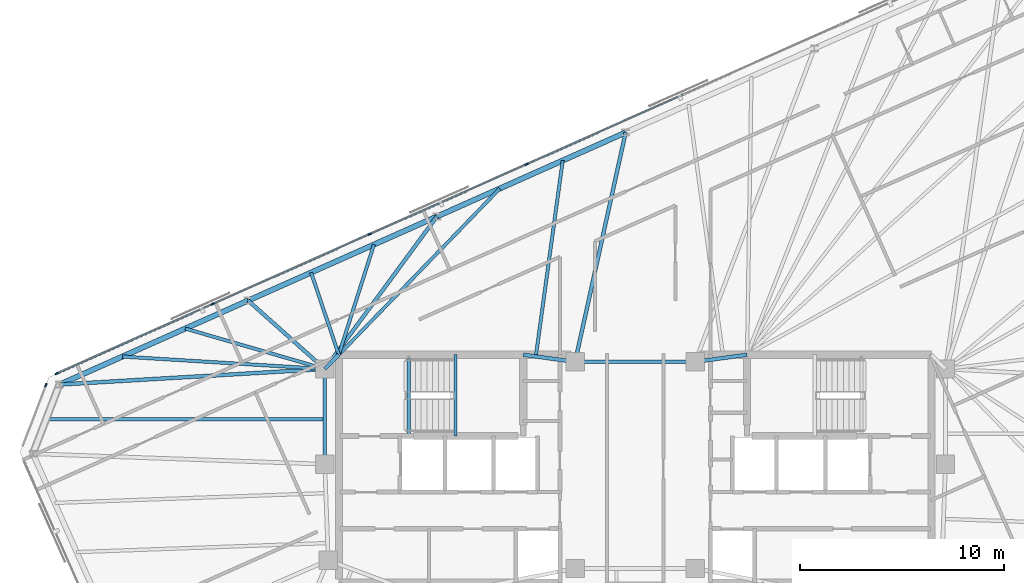
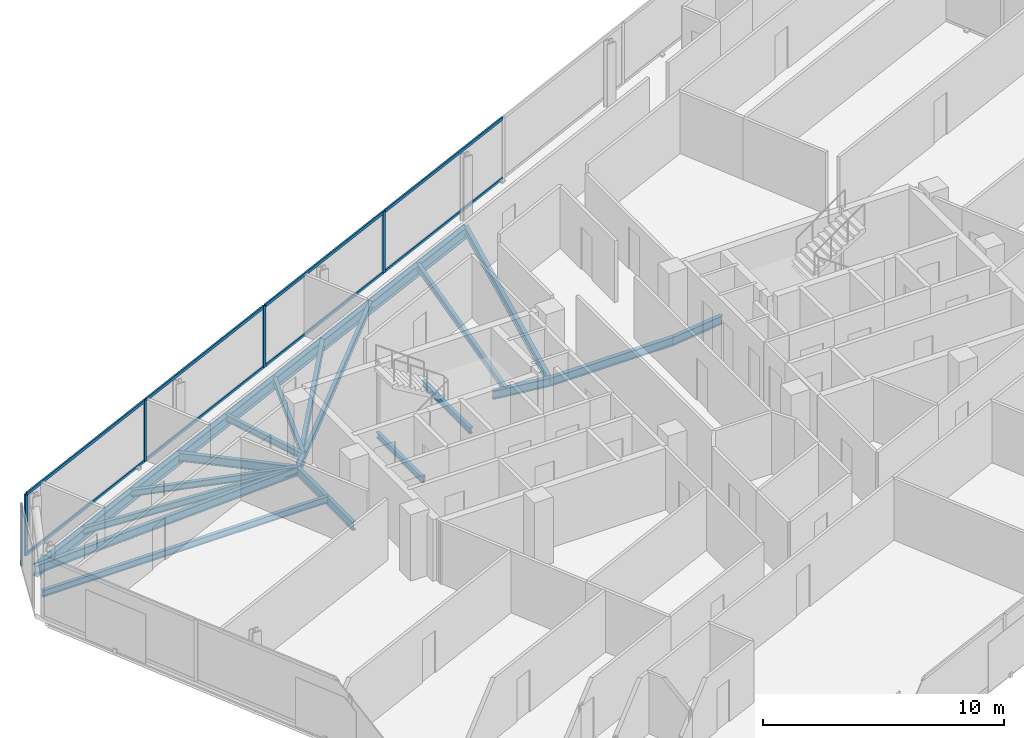
# One storey, part 9 of 18: 21 beams, 13 members, 2 elements without a shape of their own.
"""IFC4 building model written with IfcOpenShell, lengths in metres."""

from ifc_helpers import new_model, si_unit, direction, frame, origin, origin_2d, place, context, subcontext, project, spatial, rectangle, i_section, extrude, material, material_profile, profile_set, type_object, element, aggregate, save


model = new_model("IFC4")

# Units and contexts
model_context = context("Model", 3, precision=1e-05, world=origin(), true_north=direction((0.0, 1.0)))
body_context = subcontext(model_context, "Body", "Model", "MODEL_VIEW")
ifc_project = project(units=[si_unit("LENGTHUNIT", "METRE"), si_unit("AREAUNIT", "SQUARE_METRE"), si_unit("VOLUMEUNIT", "CUBIC_METRE"), si_unit("PLANEANGLEUNIT", "RADIAN"), si_unit("MASSUNIT", "GRAM", prefix="KILO")], contexts=[model_context])

# Site, building, storey
site_placement = place(None, origin())
site = spatial("IfcSite", under=ifc_project, at=site_placement, CompositionType="ELEMENT")
building_placement = place(site_placement, origin())
building = spatial("IfcBuilding", under=site, at=building_placement, Name="Menara Jurai Vektor", CompositionType="ELEMENT")
storey_placement = place(building_placement, frame((0.0, 0.0, 285.25)))
storey = spatial("IfcBuildingStorey", under=building, at=storey_placement, Name="L76", CompositionType="ELEMENT", Elevation=285.25)

# Curtain wall, members
ifc_material_1 = material(Name="Anodised Pale Aluminium & Low-E Double Glazing", Category="aluminium")
curtain_wall_type = type_object("IfcCurtainWallType", Name="CW-BLK5", PredefinedType="NOTDEFINED", material=ifc_material_1)
curtain_wall_1_placement = place(storey_placement, origin())
curtain_wall_1 = element("IfcCurtainWall", 1, at=curtain_wall_1_placement, inside=storey, type_object=curtain_wall_type, Name="Unitised Curtain Wall L76 F05", PredefinedType="NOTDEFINED")
ifc_material_2 = material(Name="Anodised Pale Aluminium Mullion", Category="aluminium")
ifc_material_profile_1 = material_profile(ifc_material_2, rectangle(XDim=0.074951171875, YDim=0.175048828125, at=origin_2d()), Name="ALU MUL 75x175")
ifc_profile_set_1 = profile_set([ifc_material_profile_1], Name="Anodised Pale Aluminium Mullion")
member_type_1 = type_object("IfcMemberType", Name="CW-BLK5-MUL", PredefinedType="MULLION", material=ifc_profile_set_1)
member_1_placement = place(storey_placement, frame((-5.327880859375, 14.957275390625, 0.0), z_axis=(0.0, 0.0, 1.0), x_axis=(0.406735498684, -0.913545967158, 0.0)))
member_1 = element("IfcMember", 2, at=member_1_placement, type_object=member_type_1, Name="CW-05 mullion 4", PredefinedType="MULLION", context=body_context, shape_type="SweptSolid", body=[
    extrude(rectangle(XDim=0.074951171875, YDim=0.175048828125, at=origin_2d()), origin(), (0.0, 0.0, 1.0), 3.125),
])
member_2_placement = place(storey_placement, frame((-13.038330078125, 11.5244140625, 0.0), z_axis=(0.0, 0.0, 1.0), x_axis=(0.406735498684, -0.913545967158, 0.0)))
member_2 = element("IfcMember", 3, at=member_2_placement, type_object=member_type_1, Name="CW-05 mullion 5", PredefinedType="MULLION", context=body_context, shape_type="SweptSolid", body=[
    extrude(rectangle(XDim=0.074951171875, YDim=0.175048828125, at=origin_2d()), origin(), (0.0, 0.0, 1.0), 3.125),
])
member_3_placement = place(storey_placement, frame((-20.748779296875, 8.091552734375, 0.0), z_axis=(0.0, 0.0, 1.0), x_axis=(0.406735498684, -0.913545967158, 0.0)))
member_3 = element("IfcMember", 4, at=member_3_placement, type_object=member_type_1, Name="CW-05 mullion 6", PredefinedType="MULLION", context=body_context, shape_type="SweptSolid", body=[
    extrude(rectangle(XDim=0.074951171875, YDim=0.175048828125, at=origin_2d()), origin(), (0.0, 0.0, 1.0), 3.125),
])
member_4_placement = place(storey_placement, frame((-28.4248046875, 4.674072265625, 0.0), z_axis=(0.0, 0.0, 1.0), x_axis=(0.406735498684, -0.913545967158, 0.0)))
member_4 = element("IfcMember", 5, at=member_4_placement, type_object=member_type_1, Name="CW-05 mullion 7", PredefinedType="MULLION", context=body_context, shape_type="SweptSolid", body=[
    extrude(rectangle(XDim=0.074951171875, YDim=0.175048828125, at=origin_2d()), origin(), (0.0, 0.0, 1.0), 3.125),
])

# Curtain wall, member
curtain_wall_2_placement = place(storey_placement, origin())
curtain_wall_2 = element("IfcCurtainWall", 6, at=curtain_wall_2_placement, inside=storey, type_object=curtain_wall_type, Name="Unitised Curtain Wall L76 F06", PredefinedType="NOTDEFINED")
member_5_placement = place(storey_placement, frame((-28.955810546875, 4.114501953125, 0.0), z_axis=(0.0, 0.0, 1.0), x_axis=(0.933578193639, -0.358373766287, 0.0)))
member_5 = element("IfcMember", 7, at=member_5_placement, type_object=member_type_1, Name="CW-05 mullion 1", PredefinedType="MULLION", context=body_context, shape_type="SweptSolid", body=[
    extrude(rectangle(XDim=0.074951171875, YDim=0.175048828125, at=origin_2d()), origin(), (0.0, 0.0, 1.0), 3.125),
])
aggregate(curtain_wall_2, [member_5])

# Member
ifc_material_3 = material(Name="Anodised Pale Aluminium Transom", Category="aluminium")
ifc_material_profile_2 = material_profile(ifc_material_3, rectangle(XDim=0.074951171875, YDim=0.155029296875, at=origin_2d()), Name="ALU TRN 75x155")
ifc_profile_set_2 = profile_set([ifc_material_profile_2], Name="Anodised Pale Aluminium Transom")
member_type_2 = type_object("IfcMemberType", Name="CW-BLK5-TRN", PredefinedType="USERDEFINED", material=ifc_profile_set_2)
member_6_placement = place(storey_placement, frame((2.34814453125, 18.375, 0.03759765625), z_axis=(-0.913546575494, -0.406734132331, 0.0), x_axis=(0.406734132331, -0.913546575494, 0.0)))
member_6 = element("IfcMember", 8, at=member_6_placement, type_object=member_type_2, Name="CW-05 transom 3.1", ObjectType="TRANSOM", PredefinedType="USERDEFINED", context=body_context, shape_type="SweptSolid", body=[
    extrude(rectangle(XDim=0.074951171875, YDim=0.155029296875, at=origin_2d()), origin(), (0.0, 0.0, 1.0), 8.364990234375),
])

member_7_placement = place(storey_placement, frame((2.34814453125, 18.375, 3.08740234375), z_axis=(-0.913546575494, -0.406734132331, 0.0), x_axis=(0.406734132331, -0.913546575494, 0.0)))
member_7 = element("IfcMember", 9, at=member_7_placement, type_object=member_type_2, Name="CW-05 transom 3.2", ObjectType="TRANSOM", PredefinedType="USERDEFINED", context=body_context, shape_type="SweptSolid", body=[
    extrude(rectangle(XDim=0.074951171875, YDim=0.155029296875, at=origin_2d()), origin(), (0.0, 0.0, 1.0), 8.364990234375),
])

member_8_placement = place(storey_placement, frame((-5.3623046875, 14.942138671875, 0.03759765625), z_axis=(-0.913546575494, -0.406734132331, 0.0), x_axis=(0.406734132331, -0.913546575494, 0.0)))
member_8 = element("IfcMember", 10, at=member_8_placement, type_object=member_type_2, Name="CW-05 transom 4.1", ObjectType="TRANSOM", PredefinedType="USERDEFINED", context=body_context, shape_type="SweptSolid", body=[
    extrude(rectangle(XDim=0.074951171875, YDim=0.155029296875, at=origin_2d()), origin(), (0.0, 0.0, 1.0), 8.364990234375),
])

member_9_placement = place(storey_placement, frame((-5.3623046875, 14.942138671875, 3.08740234375), z_axis=(-0.913546575494, -0.406734132331, 0.0), x_axis=(0.406734132331, -0.913546575494, 0.0)))
member_9 = element("IfcMember", 11, at=member_9_placement, type_object=member_type_2, Name="CW-05 transom 4.2", ObjectType="TRANSOM", PredefinedType="USERDEFINED", context=body_context, shape_type="SweptSolid", body=[
    extrude(rectangle(XDim=0.074951171875, YDim=0.155029296875, at=origin_2d()), origin(), (0.0, 0.0, 1.0), 8.364990234375),
])

member_10_placement = place(storey_placement, frame((-13.072509765625, 11.50927734375, 0.03759765625), z_axis=(-0.913546575494, -0.406734132331, 0.0), x_axis=(0.406734132331, -0.913546575494, 0.0)))
member_10 = element("IfcMember", 12, at=member_10_placement, type_object=member_type_2, Name="CW-05 transom 5.1", ObjectType="TRANSOM", PredefinedType="USERDEFINED", context=body_context, shape_type="SweptSolid", body=[
    extrude(rectangle(XDim=0.074951171875, YDim=0.155029296875, at=origin_2d()), origin(), (0.0, 0.0, 1.0), 8.364990234375),
])

member_11_placement = place(storey_placement, frame((-13.072509765625, 11.50927734375, 3.08740234375), z_axis=(-0.913546575494, -0.406734132331, 0.0), x_axis=(0.406734132331, -0.913546575494, 0.0)))
member_11 = element("IfcMember", 13, at=member_11_placement, type_object=member_type_2, Name="CW-05 transom 5.2", ObjectType="TRANSOM", PredefinedType="USERDEFINED", context=body_context, shape_type="SweptSolid", body=[
    extrude(rectangle(XDim=0.074951171875, YDim=0.155029296875, at=origin_2d()), origin(), (0.0, 0.0, 1.0), 8.364990234375),
])

member_12_placement = place(storey_placement, frame((-20.782958984375, 8.076416015625, 0.03759765625), z_axis=(-0.91353811338, -0.406753138159, 0.0), x_axis=(0.406753138159, -0.91353811338, 0.0)))
member_12 = element("IfcMember", 14, at=member_12_placement, type_object=member_type_2, Name="CW-05 transom 6.1", ObjectType="TRANSOM", PredefinedType="USERDEFINED", context=body_context, shape_type="SweptSolid", body=[
    extrude(rectangle(XDim=0.074951171875, YDim=0.155029296875, at=origin_2d()), origin(), (0.0, 0.0, 1.0), 8.327392578125),
])

member_13_placement = place(storey_placement, frame((-20.782958984375, 8.076416015625, 3.08740234375), z_axis=(-0.91353811338, -0.406753138159, 0.0), x_axis=(0.406753138159, -0.91353811338, 0.0)))
member_13 = element("IfcMember", 15, at=member_13_placement, type_object=member_type_2, Name="CW-05 transom 6.2", ObjectType="TRANSOM", PredefinedType="USERDEFINED", context=body_context, shape_type="SweptSolid", body=[
    extrude(rectangle(XDim=0.074951171875, YDim=0.155029296875, at=origin_2d()), origin(), (0.0, 0.0, 1.0), 8.327392578125),
])

aggregate(curtain_wall_1, [member_1, member_2, member_3, member_4, member_6, member_7, member_8, member_9, member_10, member_11, member_12, member_13])

# Beams
ifc_material_4 = material(Name="Steel S355", Category="steel")
ifc_material_profile_3 = material_profile(ifc_material_4, i_section(OverallWidth=0.18505859375, OverallDepth=0.429931640625, WebThickness=0.010986328125, FlangeThickness=0.01806640625, at=origin_2d()), Name="PG 430x185x76")
ifc_profile_set_3 = profile_set([ifc_material_profile_3], Name="Steel S355")
beam_type_1 = type_object("IfcBeamType", Name="STR-BM-430", PredefinedType="BEAM", material=ifc_profile_set_3)
beam_1_placement = place(storey_placement, frame((-15.25, 4.89990234375, -0.43994140625), z_axis=(0.701871936926, 0.712303154672, 0.0), x_axis=(-0.712303154672, 0.701871936926, 0.0)))
element("IfcBeam", 16, at=beam_1_placement, inside=storey, type_object=beam_type_1, Name="Core Ring Header Girder L76-CHW-N1", PredefinedType="BEAM", context=body_context, shape_type="SweptSolid", body=[
    extrude(i_section(OverallWidth=0.18505859375, OverallDepth=0.429931640625, WebThickness=0.010986328125, FlangeThickness=0.01806640625, at=origin_2d()), origin(), (0.0, 0.0, 1.0), 0.98291015625),
])
beam_2_placement = place(storey_placement, frame((-5.5, 5.60009765625, -0.43994140625), z_axis=(0.990706818608, -0.136014703483, 0.0), x_axis=(0.136014703483, 0.990706818608, 0.0)))
element("IfcBeam", 17, at=beam_2_placement, inside=storey, type_object=beam_type_1, Name="Core Ring Header Girder L76-CHW-N2", PredefinedType="BEAM", context=body_context, shape_type="SweptSolid", body=[
    extrude(i_section(OverallWidth=0.18505859375, OverallDepth=0.429931640625, WebThickness=0.010986328125, FlangeThickness=0.01806640625, at=origin_2d()), origin(), (0.0, 0.0, 1.0), 2.573974609375),
])
beam_3_placement = place(storey_placement, frame((-15.25, 0.219970703125, -0.43994140625), z_axis=(0.0, 1.0, 0.0), x_axis=(-1.0, 0.0, 0.0)))
element("IfcBeam", 18, at=beam_3_placement, inside=storey, type_object=beam_type_1, Name="Core Ring Header Girder L76-CHW-W1", PredefinedType="BEAM", context=body_context, shape_type="SweptSolid", body=[
    extrude(i_section(OverallWidth=0.18505859375, OverallDepth=0.429931640625, WebThickness=0.010986328125, FlangeThickness=0.01806640625, at=origin_2d()), origin(), (0.0, 0.0, 1.0), 4.679931640625),
])
beam_4_placement = place(storey_placement, frame((2.949951171875, 5.25, -0.43994140625), z_axis=(0.990706818608, 0.136014703483, 0.0), x_axis=(-0.136014703483, 0.990706818608, 0.0)))
element("IfcBeam", 19, at=beam_4_placement, inside=storey, type_object=beam_type_1, Name="Core Ring Header Girder L76-CHE-N1", PredefinedType="BEAM", context=body_context, shape_type="SweptSolid", body=[
    extrude(i_section(OverallWidth=0.18505859375, OverallDepth=0.429931640625, WebThickness=0.010986328125, FlangeThickness=0.01806640625, at=origin_2d()), origin(), (0.0, 0.0, 1.0), 2.573974609375),
])
beam_5_placement = place(storey_placement, frame((-2.949951171875, 5.25, -0.43994140625), z_axis=(1.0, 0.0, 0.0), x_axis=(0.0, 1.0, 0.0)))
element("IfcBeam", 20, at=beam_5_placement, inside=storey, type_object=beam_type_1, Name="Core Ring Header Girder L76-CC-2", PredefinedType="BEAM", context=body_context, shape_type="SweptSolid", body=[
    extrude(i_section(OverallWidth=0.18505859375, OverallDepth=0.429931640625, WebThickness=0.010986328125, FlangeThickness=0.01806640625, at=origin_2d()), origin(), (0.0, 0.0, 1.0), 5.89990234375),
])
beam_6_placement = place(storey_placement, frame((-0.467529296875, 16.519287109375, -0.43994140625), z_axis=(-0.215124522255, -0.976586626943, 0.0), x_axis=(0.976586626943, -0.215124522255, 0.0)))
element("IfcBeam", 21, at=beam_6_placement, inside=storey, type_object=beam_type_1, Name="Radial Floor Girder L76-N3", PredefinedType="BEAM", context=body_context, shape_type="SweptSolid", body=[
    extrude(i_section(OverallWidth=0.18505859375, OverallDepth=0.429931640625, WebThickness=0.010986328125, FlangeThickness=0.01806640625, at=origin_2d()), origin(), (0.0, 0.0, 1.0), 11.53955078125),
])
beam_7_placement = place(storey_placement, frame((-9.740966796875, 12.390380859375, -0.43994140625), z_axis=(-0.592483178081, -0.805582822366, 0.0), x_axis=(0.805582822366, -0.592483178081, 0.0)))
element("IfcBeam", 22, at=beam_7_placement, inside=storey, type_object=beam_type_1, Name="Radial Floor Girder L76-N4", PredefinedType="BEAM", context=body_context, shape_type="SweptSolid", body=[
    extrude(i_section(OverallWidth=0.18505859375, OverallDepth=0.429931640625, WebThickness=0.010986328125, FlangeThickness=0.01806640625, at=origin_2d()), origin(), (0.0, 0.0, 1.0), 9.298095703125),
])
beam_8_placement = place(storey_placement, frame((-19.0146484375, 8.26171875, -0.43994140625), z_axis=(0.745886163995, -0.666073442167, 0.0), x_axis=(0.666073442167, 0.745886163995, 0.0)))
element("IfcBeam", 23, at=beam_8_placement, inside=storey, type_object=beam_type_1, Name="Radial Floor Girder L76-N5", PredefinedType="BEAM", context=body_context, shape_type="SweptSolid", body=[
    extrude(i_section(OverallWidth=0.18505859375, OverallDepth=0.429931640625, WebThickness=0.010986328125, FlangeThickness=0.01806640625, at=origin_2d()), origin(), (0.0, 0.0, 1.0), 5.047119140625),
])
beam_9_placement = place(storey_placement, frame((-28.2880859375, 4.1328125, -0.43994140625), z_axis=(0.998273728533, 0.058732979834, 0.0), x_axis=(-0.058732979834, 0.998273728533, 0.0)))
element("IfcBeam", 24, at=beam_9_placement, inside=storey, type_object=beam_type_1, Name="Radial Floor Girder L76-N6", PredefinedType="BEAM", context=body_context, shape_type="SweptSolid", body=[
    extrude(i_section(OverallWidth=0.18505859375, OverallDepth=0.429931640625, WebThickness=0.010986328125, FlangeThickness=0.01806640625, at=origin_2d()), origin(), (0.0, 0.0, 1.0), 13.060546875),
])
ifc_material_profile_4 = material_profile(ifc_material_4, i_section(OverallWidth=0.1650390625, OverallDepth=0.330078125, WebThickness=0.009033203125, FlangeThickness=0.013916015625, at=origin_2d()), Name="PG 330x165x46")
ifc_profile_set_4 = profile_set([ifc_material_profile_4], Name="Steel S355")
beam_type_2 = type_object("IfcBeamType", Name="STR-JS-330", PredefinedType="JOIST", material=ifc_profile_set_4)
beam_10_placement = place(storey_placement, frame((-3.55859375, 15.14306640625, -0.389892578125), z_axis=(-0.135981954601, -0.990711314169, 0.0), x_axis=(0.990711314169, -0.135981954601, 0.0)))
element("IfcBeam", 25, at=beam_10_placement, inside=storey, type_object=beam_type_2, Name="Radial Secondary Floor Joist L76-JS19", PredefinedType="JOIST", context=body_context, shape_type="SweptSolid", body=[
    extrude(i_section(OverallWidth=0.1650390625, OverallDepth=0.330078125, WebThickness=0.009033203125, FlangeThickness=0.013916015625, at=origin_2d()), origin(), (0.0, 0.0, 1.0), 9.718505859375),
])
beam_11_placement = place(storey_placement, frame((-6.64990234375, 13.766845703125, -0.389892578125), z_axis=(-0.695732556791, -0.718300918433, 0.0), x_axis=(0.718300918433, -0.695732556791, 0.0)))
element("IfcBeam", 26, at=beam_11_placement, inside=storey, type_object=beam_type_2, Name="Radial Secondary Floor Joist L76-JS20", PredefinedType="JOIST", context=body_context, shape_type="SweptSolid", body=[
    extrude(i_section(OverallWidth=0.1650390625, OverallDepth=0.330078125, WebThickness=0.009033203125, FlangeThickness=0.013916015625, at=origin_2d()), origin(), (0.0, 0.0, 1.0), 11.36962890625),
])
beam_12_placement = place(storey_placement, frame((-12.832275390625, 11.01416015625, -0.389892578125), z_axis=(-0.304022753529, -0.952664770702, 0.0), x_axis=(0.952664770702, -0.304022753529, 0.0)))
element("IfcBeam", 27, at=beam_12_placement, inside=storey, type_object=beam_type_2, Name="Radial Secondary Floor Joist L76-JS21", PredefinedType="JOIST", context=body_context, shape_type="SweptSolid", body=[
    extrude(i_section(OverallWidth=0.1650390625, OverallDepth=0.330078125, WebThickness=0.009033203125, FlangeThickness=0.013916015625, at=origin_2d()), origin(), (0.0, 0.0, 1.0), 5.68310546875),
])
beam_13_placement = place(storey_placement, frame((-15.92333984375, 9.637939453125, -0.389892578125), z_axis=(0.319885998438, -0.947456040143, 0.0), x_axis=(0.947456040143, 0.319885998438, 0.0)))
element("IfcBeam", 28, at=beam_13_placement, inside=storey, type_object=beam_type_2, Name="Radial Secondary Floor Joist L76-JS22", PredefinedType="JOIST", context=body_context, shape_type="SweptSolid", body=[
    extrude(i_section(OverallWidth=0.1650390625, OverallDepth=0.330078125, WebThickness=0.009033203125, FlangeThickness=0.013916015625, at=origin_2d()), origin(), (0.0, 0.0, 1.0), 4.26171875),
])
beam_14_placement = place(storey_placement, frame((-22.105712890625, 6.885498046875, -0.389892578125), z_axis=(0.960525066064, -0.278193453306, 0.0), x_axis=(0.278193453306, 0.960525066064, 0.0)))
element("IfcBeam", 29, at=beam_14_placement, inside=storey, type_object=beam_type_2, Name="Radial Secondary Floor Joist L76-JS23", PredefinedType="JOIST", context=body_context, shape_type="SweptSolid", body=[
    extrude(i_section(OverallWidth=0.1650390625, OverallDepth=0.330078125, WebThickness=0.009033203125, FlangeThickness=0.013916015625, at=origin_2d()), origin(), (0.0, 0.0, 1.0), 7.137451171875),
])
beam_15_placement = place(storey_placement, frame((-25.197021484375, 5.509033203125, -0.389892578125), z_axis=(0.998130240593, -0.061123013776, 0.0), x_axis=(0.061123013776, 0.998130240593, 0.0)))
element("IfcBeam", 30, at=beam_15_placement, inside=storey, type_object=beam_type_2, Name="Radial Secondary Floor Joist L76-JS24", PredefinedType="JOIST", context=body_context, shape_type="SweptSolid", body=[
    extrude(i_section(OverallWidth=0.1650390625, OverallDepth=0.330078125, WebThickness=0.009033203125, FlangeThickness=0.013916015625, at=origin_2d()), origin(), (0.0, 0.0, 1.0), 9.965576171875),
])
beam_16_placement = place(storey_placement, frame((-28.93994140625, 2.434814453125, -0.389892578125), z_axis=(1.0, 0.0, 0.0), x_axis=(0.0, 1.0, 0.0)))
element("IfcBeam", 31, at=beam_16_placement, inside=storey, type_object=beam_type_2, Name="Radial Secondary Floor Joist L76-JS25", PredefinedType="JOIST", context=body_context, shape_type="SweptSolid", body=[
    extrude(i_section(OverallWidth=0.1650390625, OverallDepth=0.330078125, WebThickness=0.009033203125, FlangeThickness=0.013916015625, at=origin_2d()), origin(), (0.0, 0.0, 1.0), 13.68994140625),
])
ifc_material_profile_5 = material_profile(ifc_material_4, i_section(OverallWidth=0.1650390625, OverallDepth=0.302978515625, WebThickness=0.006103515625, FlangeThickness=0.010009765625, FilletRadius=0.009033203125, at=origin_2d()), Name="UKB 305x165x40")
ifc_profile_set_5 = profile_set([ifc_material_profile_5], Name="Steel S355")
beam_type_3 = type_object("IfcBeamType", Name="STR-LN-305", PredefinedType="LINTEL", material=ifc_profile_set_5)
beam_17_placement = place(storey_placement, frame((-11.1201171875, 1.60009765625, -0.37646484375), z_axis=(0.0, 1.0, 0.0), x_axis=(-1.0, 0.0, 0.0)))
element("IfcBeam", 32, at=beam_17_placement, inside=storey, type_object=beam_type_3, Name="Stair Well Floor Trimmer ST1 L76", PredefinedType="LINTEL", context=body_context, shape_type="SweptSolid", body=[
    extrude(i_section(OverallWidth=0.1650390625, OverallDepth=0.302978515625, WebThickness=0.006103515625, FlangeThickness=0.010009765625, FilletRadius=0.009033203125, at=origin_2d()), origin(), (0.0, 0.0, 1.0), 3.81982421875),
])
beam_18_placement = place(storey_placement, frame((-8.830078125, 1.60009765625, 1.323486328125), z_axis=(0.0, 1.0, 0.0), x_axis=(-1.0, 0.0, 0.0)))
element("IfcBeam", 33, at=beam_18_placement, inside=storey, type_object=beam_type_3, Name="Stair Half-Landing Nosing Trimmer ST1-1 L76", PredefinedType="LINTEL", context=body_context, shape_type="SweptSolid", body=[
    extrude(i_section(OverallWidth=0.1650390625, OverallDepth=0.302978515625, WebThickness=0.006103515625, FlangeThickness=0.010009765625, FilletRadius=0.009033203125, at=origin_2d()), origin(), (0.0, 0.0, 1.0), 4.0),
])
ifc_material_profile_6 = material_profile(ifc_material_4, i_section(OverallWidth=0.260009765625, OverallDepth=0.570068359375, WebThickness=0.013916015625, FlangeThickness=0.02392578125, at=origin_2d()), Name="PG 570x260x145")
ifc_profile_set_6 = profile_set([ifc_material_profile_6], Name="Steel S355")
beam_type_4 = type_object("IfcBeamType", Name="STR-SP-570", PredefinedType="SPANDREL", material=ifc_profile_set_6)
for number, where, z_axis, x_axis, name in (
    (34, (-0.467529296875, 16.519287109375, -0.510009765625), (-0.913541582548, -0.406745346568, 0.0), (0.406745346568, -0.913541582548, 0.0), "Exoskeleton Spandrel Beam L76-13"),
    (35, (-9.740966796875, 12.390380859375, -0.510009765625), (-0.913554497648, -0.406716338284, 0.0), (0.406716338284, -0.913554497648, 0.0), "Exoskeleton Spandrel Beam L76-14"),
    (36, (-19.0146484375, 8.26171875, -0.510009765625), (-0.913541582548, -0.406745346568, 0.0), (0.406745346568, -0.913541582548, 0.0), "Exoskeleton Spandrel Beam L76-15"),
):
    element("IfcBeam", number, at=place(storey_placement, frame(where, z_axis=z_axis, x_axis=x_axis)), inside=storey, type_object=beam_type_4, Name=name, PredefinedType="SPANDREL", context=body_context, shape_type="SweptSolid", body=[
        extrude(i_section(OverallWidth=0.260009765625, OverallDepth=0.570068359375, WebThickness=0.013916015625, FlangeThickness=0.02392578125, at=origin_2d()), origin(), (0.0, 0.0, 1.0), 10.151123046875),
    ])

save(model, "model.ifc")
